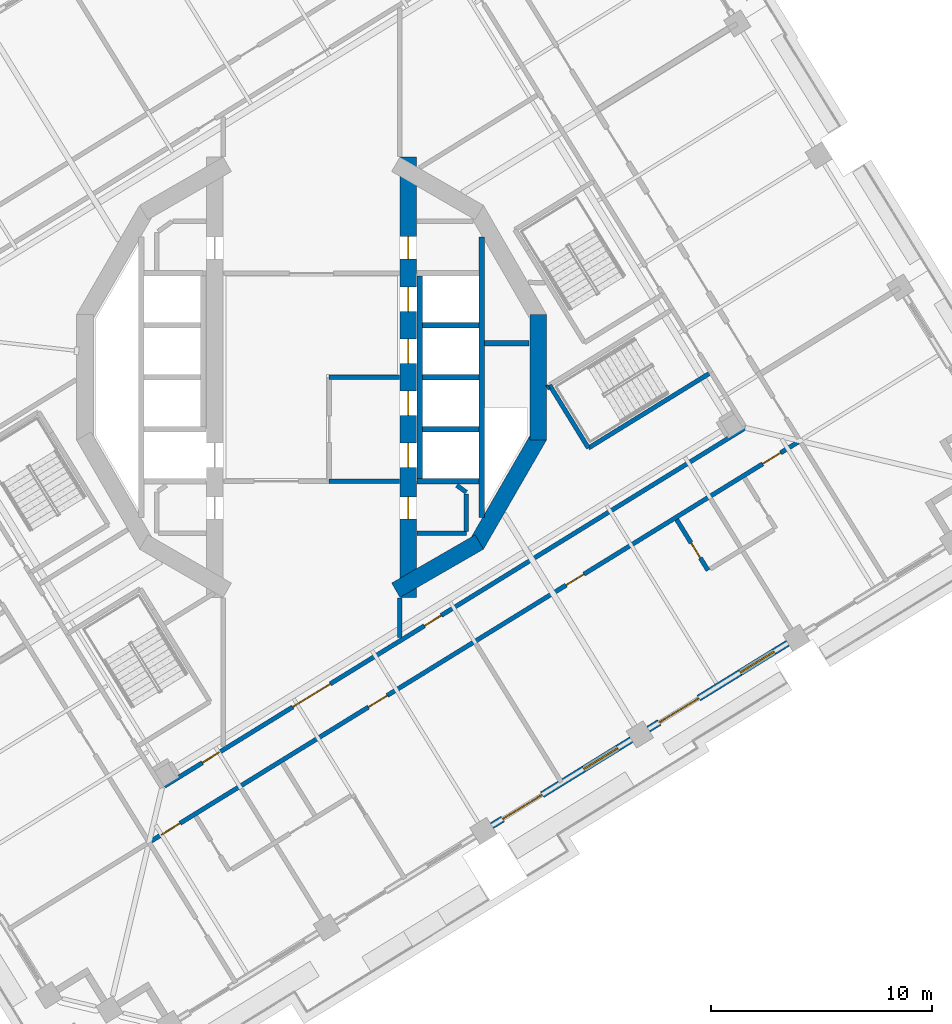
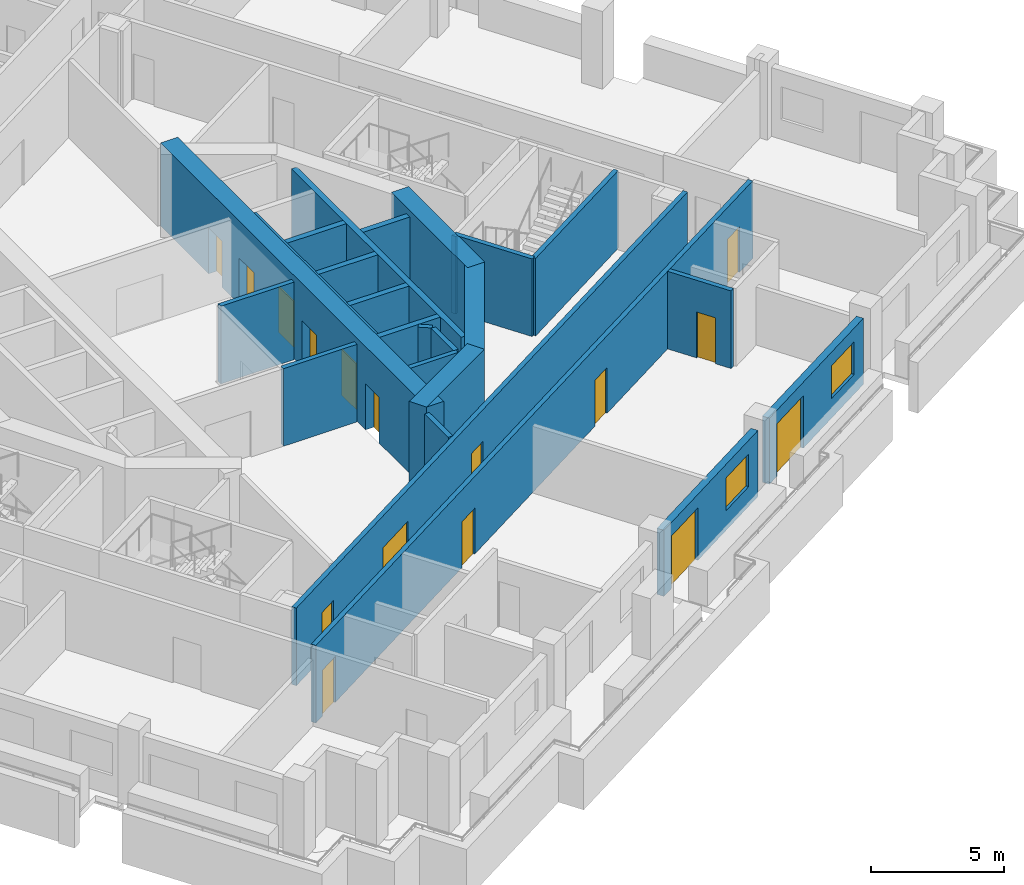
# One storey, part 6 of 20: 25 walls, 16 doors, 2 windows, 18 openings.
"""IFC4 building model written with IfcOpenShell, lengths in metres."""

from ifc_helpers import new_model, si_unit, direction, frame, frame_2d, origin, place, context, subcontext, project, spatial, rectangle, extrude, material, layer, layer_set, type_object, element, fill, save


model = new_model("IFC4")

# Units and contexts
model_context = context("Model", 3, precision=1e-05, world=origin(), true_north=direction((0.0, 1.0)))
body_context = subcontext(model_context, "Body", "Model", "MODEL_VIEW")
ifc_project = project(units=[si_unit("LENGTHUNIT", "METRE"), si_unit("AREAUNIT", "SQUARE_METRE"), si_unit("VOLUMEUNIT", "CUBIC_METRE"), si_unit("PLANEANGLEUNIT", "RADIAN"), si_unit("MASSUNIT", "GRAM", prefix="KILO")], contexts=[model_context])

# Site, building, storey
site_placement = place(None, origin())
site = spatial("IfcSite", under=ifc_project, at=site_placement, CompositionType="ELEMENT")
building_placement = place(site_placement, origin())
building = spatial("IfcBuilding", under=site, at=building_placement, Name="Cantera Rosa Tower", CompositionType="ELEMENT")
storey_placement = place(building_placement, frame((0.0, 0.0, 181.800048828125)))
storey = spatial("IfcBuildingStorey", under=building, at=storey_placement, Name="L40", CompositionType="ELEMENT", Elevation=181.800048828125)

# Wall, openings, doors
ifc_material_1 = material(Name="Gypsum board partition")
ifc_layer_1 = layer(ifc_material_1, 0.199951171875)
ifc_layer_set_1 = layer_set([ifc_layer_1], Name="CORRIDOR WALL 200 H3550")
wall_type_1 = type_object("IfcWallType", Name="CORRIDOR WALL 200 H3550", PredefinedType="PARTITIONING", material=ifc_layer_set_1)
wall_1_placement = place(storey_placement, frame((-7.246337890625, -20.977294921875, 0.0), z_axis=(0.0, 0.0, 1.0), x_axis=(0.851117666999, 0.524974967901, 0.0)))
wall_1 = element("IfcWall", 1, at=wall_1_placement, inside=storey, type_object=wall_type_1, Name="CORRIDOR WALL L40-033", PredefinedType="PARTITIONING", context=body_context, shape_type="SweptSolid", body=[
    extrude(rectangle(XDim=34.47998046875, YDim=0.199951171875, at=frame_2d((17.239990234375, 0.0))), origin(), (0.0, 0.0, 1.0), 3.550048828125),
])
opening_1_placement = place(wall_1_placement, frame((11.5400390625, 0.0, 0.0)))
opening_1 = element("IfcOpeningElement", 2, at=opening_1_placement, cuts=wall_1, Name="Opening L40-036", PredefinedType="OPENING", context=body_context, shape_type="SweptSolid", body=[
    extrude(rectangle(XDim=1.0, YDim=2.10009765625, at=frame_2d((0.5, 1.050048828125))), frame((0.0, 0.10986328125, 0.0), z_axis=(0.0, -1.0, 0.0), x_axis=(1.0, 0.0, 0.0)), (0.0, 0.0, 1.0), 0.219970703125),
])
opening_2_placement = place(wall_1_placement, frame((22.044921875, 0.0, 0.0)))
opening_2 = element("IfcOpeningElement", 3, at=opening_2_placement, cuts=wall_1, Name="Opening L40-039", PredefinedType="OPENING", context=body_context, shape_type="SweptSolid", body=[
    extrude(rectangle(XDim=0.949951171875, YDim=2.10009765625, at=frame_2d((0.47509765625, 1.050048828125))), frame((0.0, 0.10986328125, 0.0), z_axis=(0.0, -1.0, 0.0), x_axis=(1.0, 0.0, 0.0)), (0.0, 0.0, 1.0), 0.219970703125),
])
opening_3_placement = place(wall_1_placement, frame((32.4951171875, 0.0, 0.0)))
opening_3 = element("IfcOpeningElement", 4, at=opening_3_placement, cuts=wall_1, Name="Opening L40-041", PredefinedType="OPENING", context=body_context, shape_type="SweptSolid", body=[
    extrude(rectangle(XDim=0.949951171875, YDim=2.10009765625, at=frame_2d((0.47509765625, 1.050048828125))), frame((0.0, 0.10986328125, 0.0), z_axis=(0.0, -1.0, 0.0), x_axis=(1.0, 0.0, 0.0)), (0.0, 0.0, 1.0), 0.219970703125),
])
opening_4_placement = place(wall_1_placement, frame((0.530029296875, 0.0, 0.0)))
opening_4 = element("IfcOpeningElement", 5, at=opening_4_placement, cuts=wall_1, Name="Opening L40-043", PredefinedType="OPENING", context=body_context, shape_type="SweptSolid", body=[
    extrude(rectangle(XDim=1.0, YDim=2.10009765625, at=frame_2d((0.5, 1.050048828125))), frame((0.0, 0.10986328125, 0.0), z_axis=(0.0, -1.0, 0.0), x_axis=(1.0, 0.0, 0.0)), (0.0, 0.0, 1.0), 0.219970703125),
])
ifc_material_2 = material(Name="Timber door leaf", Category="wood")
door_type_1 = type_object("IfcDoorType", Name="ENTRANCE DOOR 1000x2100", OperationType="NOTDEFINED", PredefinedType="DOOR", material=ifc_material_2)
door_1_placement = place(opening_1_placement, origin())
door_1 = element("IfcDoor", 6, at=door_1_placement, inside=storey, type_object=door_type_1, Name="DOOR L40-036", OperationType="NOTDEFINED", OverallHeight=2.10009765625, OverallWidth=1.0, PredefinedType="DOOR", context=body_context, shape_type="SweptSolid", body=[
    extrude(rectangle(XDim=1.0, YDim=2.10009765625, at=frame_2d((0.5, 1.050048828125))), frame((0.0, 0.02490234375, 0.0), z_axis=(0.0, -1.0, 0.0), x_axis=(1.0, 0.0, 0.0)), (0.0, 0.0, 1.0), 0.050048828125),
])
fill(opening_1, door_1)
door_2_placement = place(opening_4_placement, origin())
door_2 = element("IfcDoor", 7, at=door_2_placement, inside=storey, type_object=door_type_1, Name="DOOR L40-043", OperationType="NOTDEFINED", OverallHeight=2.10009765625, OverallWidth=1.0, PredefinedType="DOOR", context=body_context, shape_type="SweptSolid", body=[
    extrude(rectangle(XDim=1.0, YDim=2.10009765625, at=frame_2d((0.5, 1.050048828125))), frame((0.0, 0.02490234375, 0.0), z_axis=(0.0, -1.0, 0.0), x_axis=(1.0, 0.0, 0.0)), (0.0, 0.0, 1.0), 0.050048828125),
])
fill(opening_4, door_2)
ifc_material_3 = material(Name="Timber door leaf", Category="wood")
door_type_2 = type_object("IfcDoorType", Name="ROOM DOOR 950x2100", OperationType="NOTDEFINED", PredefinedType="DOOR", material=ifc_material_3)
door_3_placement = place(opening_2_placement, origin())
door_3 = element("IfcDoor", 8, at=door_3_placement, inside=storey, type_object=door_type_2, Name="DOOR L40-039", OperationType="NOTDEFINED", OverallHeight=2.10009765625, OverallWidth=0.949951171875, PredefinedType="DOOR", context=body_context, shape_type="SweptSolid", body=[
    extrude(rectangle(XDim=0.949951171875, YDim=2.10009765625, at=frame_2d((0.47509765625, 1.050048828125))), frame((0.0, 0.02490234375, 0.0), z_axis=(0.0, -1.0, 0.0), x_axis=(1.0, 0.0, 0.0)), (0.0, 0.0, 1.0), 0.050048828125),
])
fill(opening_2, door_3)
door_4_placement = place(opening_3_placement, origin())
door_4 = element("IfcDoor", 9, at=door_4_placement, inside=storey, type_object=door_type_2, Name="DOOR L40-041", OperationType="NOTDEFINED", OverallHeight=2.10009765625, OverallWidth=0.949951171875, PredefinedType="DOOR", context=body_context, shape_type="SweptSolid", body=[
    extrude(rectangle(XDim=0.949951171875, YDim=2.10009765625, at=frame_2d((0.47509765625, 1.050048828125))), frame((0.0, 0.02490234375, 0.0), z_axis=(0.0, -1.0, 0.0), x_axis=(1.0, 0.0, 0.0)), (0.0, 0.0, 1.0), 0.050048828125),
])
fill(opening_3, door_4)

wall_2_placement = place(storey_placement, frame((-6.6591796875, -18.500244140625, 0.0), z_axis=(0.0, 0.0, 1.0), x_axis=(0.851117940987, 0.524974523696, 0.0)))
wall_2 = element("IfcWall", 10, at=wall_2_placement, inside=storey, type_object=wall_type_1, Name="CORRIDOR WALL L40-038", PredefinedType="PARTITIONING", context=body_context, shape_type="SweptSolid", body=[
    extrude(rectangle(XDim=30.8798828125, YDim=0.199951171875, at=frame_2d((15.43994140625, 0.0))), origin(), (0.0, 0.0, 1.0), 3.550048828125),
])
opening_5_placement = place(wall_2_placement, frame((2.01513671875, 0.0, 0.0)))
opening_5 = element("IfcOpeningElement", 11, at=opening_5_placement, cuts=wall_2, Name="Opening L40-009", PredefinedType="OPENING", context=body_context, shape_type="SweptSolid", body=[
    extrude(rectangle(XDim=0.89990234375, YDim=2.10009765625, at=frame_2d((0.449951171875, 1.050048828125))), frame((0.0, 0.10986328125, 0.0), z_axis=(0.0, -1.0, 0.0), x_axis=(1.0, 0.0, 0.0)), (0.0, 0.0, 1.0), 0.219970703125),
])
opening_6_placement = place(wall_2_placement, frame((13.8193359375, 0.0, 0.0)))
opening_6 = element("IfcOpeningElement", 12, at=opening_6_placement, cuts=wall_2, Name="Opening L40-010", PredefinedType="OPENING", context=body_context, shape_type="SweptSolid", body=[
    extrude(rectangle(XDim=0.89990234375, YDim=2.10009765625, at=frame_2d((0.449951171875, 1.050048828125))), frame((0.0, 0.10986328125, 0.0), z_axis=(0.0, -1.0, 0.0), x_axis=(1.0, 0.0, 0.0)), (0.0, 0.0, 1.0), 0.219970703125),
])
opening_7_placement = place(wall_2_placement, frame((6.82421875, 0.0, 0.0)))
opening_7 = element("IfcOpeningElement", 13, at=opening_7_placement, cuts=wall_2, Name="Opening L40-013", PredefinedType="OPENING", context=body_context, shape_type="SweptSolid", body=[
    extrude(rectangle(XDim=2.0, YDim=2.10009765625, at=frame_2d((1.0, 1.050048828125))), frame((0.0, 0.10986328125, 0.0), z_axis=(0.0, -1.0, 0.0), x_axis=(1.0, 0.0, 0.0)), (0.0, 0.0, 1.0), 0.219970703125),
])
ifc_material_4 = material(Name="Steel S355J2 (EN 10025-2)", Category="steel")
door_type_3 = type_object("IfcDoorType", Name="LOBBY SCREEN DOOR 2000x2100", OperationType="NOTDEFINED", PredefinedType="DOOR", material=ifc_material_4)
door_5_placement = place(opening_7_placement, origin())
door_5 = element("IfcDoor", 14, at=door_5_placement, inside=storey, type_object=door_type_3, Name="DOOR L40-013", OperationType="NOTDEFINED", OverallHeight=2.10009765625, OverallWidth=2.0, PredefinedType="DOOR", context=body_context, shape_type="SweptSolid", body=[
    extrude(rectangle(XDim=2.0, YDim=2.10009765625, at=frame_2d((1.0, 1.050048828125))), frame((0.0, 0.02490234375, 0.0), z_axis=(0.0, -1.0, 0.0), x_axis=(1.0, 0.0, 0.0)), (0.0, 0.0, 1.0), 0.050048828125),
])
fill(opening_7, door_5)
ifc_material_5 = material(Name="Timber door leaf", Category="wood")
door_type_4 = type_object("IfcDoorType", Name="SERVICE DOOR 900x2100", OperationType="NOTDEFINED", PredefinedType="DOOR", material=ifc_material_5)
door_6_placement = place(opening_5_placement, origin())
door_6 = element("IfcDoor", 15, at=door_6_placement, inside=storey, type_object=door_type_4, Name="DOOR L40-009", OperationType="NOTDEFINED", OverallHeight=2.10009765625, OverallWidth=0.89990234375, PredefinedType="DOOR", context=body_context, shape_type="SweptSolid", body=[
    extrude(rectangle(XDim=0.89990234375, YDim=2.10009765625, at=frame_2d((0.449951171875, 1.050048828125))), frame((0.0, 0.02490234375, 0.0), z_axis=(0.0, -1.0, 0.0), x_axis=(1.0, 0.0, 0.0)), (0.0, 0.0, 1.0), 0.050048828125),
])
fill(opening_5, door_6)
door_7_placement = place(opening_6_placement, origin())
door_7 = element("IfcDoor", 16, at=door_7_placement, inside=storey, type_object=door_type_4, Name="DOOR L40-010", OperationType="NOTDEFINED", OverallHeight=2.10009765625, OverallWidth=0.89990234375, PredefinedType="DOOR", context=body_context, shape_type="SweptSolid", body=[
    extrude(rectangle(XDim=0.89990234375, YDim=2.10009765625, at=frame_2d((0.449951171875, 1.050048828125))), frame((0.0, 0.02490234375, 0.0), z_axis=(0.0, -1.0, 0.0), x_axis=(1.0, 0.0, 0.0)), (0.0, 0.0, 1.0), 0.050048828125),
])
fill(opening_6, door_7)

# Wall
wall_3_placement = place(storey_placement, frame((4.0, -11.765625, 0.0), z_axis=(0.0, 0.0, 1.0), x_axis=(0.0, 1.0, 0.0)))
element("IfcWall", 17, at=wall_3_placement, inside=storey, type_object=wall_type_1, Name="CORRIDOR WALL L40-065", PredefinedType="PARTITIONING", context=body_context, shape_type="SweptSolid", body=[
    extrude(rectangle(XDim=1.771484375, YDim=0.199951171875, at=frame_2d((0.8857421875, 0.0))), origin(), (0.0, 0.0, 1.0), 3.550048828125),
])

# Wall, openings, window, door
ifc_material_6 = material(Name="Hollow clay masonry with cantera stone cladding", Category="masonry")
ifc_layer_2 = layer(ifc_material_6, 0.300048828125)
ifc_layer_set_2 = layer_set([ifc_layer_2], Name="EW-LOGGIA 300 H3020")
wall_type_2 = type_object("IfcWallType", Name="EW-LOGGIA 300 H3020", PredefinedType="SOLIDWALL", material=ifc_layer_set_2)
wall_4_placement = place(storey_placement, frame((8.155517578125, -20.289306640625, 0.0), z_axis=(0.0, 0.0, 1.0), x_axis=(0.851111085575, 0.524985637909, 0.0)))
wall_4 = element("IfcWall", 18, at=wall_4_placement, inside=storey, type_object=wall_type_2, Name="EN-L40-W24", PredefinedType="SOLIDWALL", context=body_context, shape_type="SweptSolid", body=[
    extrude(rectangle(XDim=7.420166015625, YDim=0.300048828125, at=frame_2d((3.7099609375, 0.0))), origin(), (0.0, 0.0, 1.0), 3.02001953125),
])
opening_8_placement = place(wall_4_placement, frame((0.580078125, 0.0, 0.0)))
opening_8 = element("IfcOpeningElement", 19, at=opening_8_placement, cuts=wall_4, Name="Opening L40-TD31", PredefinedType="OPENING", context=body_context, shape_type="SweptSolid", body=[
    extrude(rectangle(XDim=2.10009765625, YDim=2.39990234375, at=frame_2d((1.050048828125, 1.199951171875))), frame((0.0, 0.159912109375, 0.0), z_axis=(0.0, -1.0, 0.0), x_axis=(1.0, 0.0, 0.0)), (0.0, 0.0, 1.0), 0.320068359375),
])
opening_9_placement = place(wall_4_placement, frame((4.889892578125, 0.0, 0.89990234375)))
opening_9 = element("IfcOpeningElement", 20, at=opening_9_placement, cuts=wall_4, Name="Opening L40-W32", PredefinedType="OPENING", context=body_context, shape_type="SweptSolid", body=[
    extrude(rectangle(XDim=1.800048828125, YDim=1.5, at=frame_2d((0.89990234375, 0.75))), frame((0.0, 0.159912109375, 0.0), z_axis=(0.0, -1.0, 0.0), x_axis=(1.0, 0.0, 0.0)), (0.0, 0.0, 1.0), 0.320068359375),
])
ifc_material_7 = material(Name="Aluminium frame with clear glass", Category="aluminium")
window_type = type_object("IfcWindowType", Name="Hotel room window 1800x1500", PartitioningType="DOUBLE_PANEL_VERTICAL", PredefinedType="WINDOW", material=ifc_material_7)
window_1_placement = place(opening_9_placement, origin())
window_1 = element("IfcWindow", 21, at=window_1_placement, inside=storey, type_object=window_type, Name="WINDOW L40-W32", OverallHeight=1.5, OverallWidth=1.800048828125, PartitioningType="SINGLE_PANEL", PredefinedType="WINDOW", context=body_context, shape_type="SweptSolid", body=[
    extrude(rectangle(XDim=1.800048828125, YDim=1.5, at=frame_2d((0.89990234375, 0.75))), frame((0.0, 0.030029296875, 0.0), z_axis=(0.0, -1.0, 0.0), x_axis=(1.0, 0.0, 0.0)), (0.0, 0.0, 1.0), 0.06005859375),
])
fill(opening_9, window_1)
ifc_material_8 = material(Name="Aluminium frame with clear glass", Category="aluminium")
door_type_5 = type_object("IfcDoorType", Name="TD-H 2100x2400", OperationType="NOTDEFINED", PredefinedType="DOOR", material=ifc_material_8)
door_8_placement = place(opening_8_placement, origin())
door_8 = element("IfcDoor", 22, at=door_8_placement, inside=storey, type_object=door_type_5, Name="LOGGIA DOOR L40-TD31", OperationType="SLIDING_TO_LEFT", OverallHeight=2.39990234375, OverallWidth=2.10009765625, PredefinedType="DOOR", context=body_context, shape_type="SweptSolid", body=[
    extrude(rectangle(XDim=2.10009765625, YDim=2.39990234375, at=frame_2d((1.050048828125, 1.199951171875))), frame((0.0, 0.02490234375, 0.0), z_axis=(0.0, -1.0, 0.0), x_axis=(1.0, 0.0, 0.0)), (0.0, 0.0, 1.0), 0.050048828125),
])
fill(opening_8, door_8)

wall_5_placement = place(storey_placement, frame((15.23681640625, -15.92138671875, 0.0), z_axis=(0.0, 0.0, 1.0), x_axis=(0.85112578684, 0.524961803349, 0.0)))
wall_5 = element("IfcWall", 23, at=wall_5_placement, inside=storey, type_object=wall_type_2, Name="EN-L40-W25", PredefinedType="SOLIDWALL", context=body_context, shape_type="SweptSolid", body=[
    extrude(rectangle(XDim=7.420166015625, YDim=0.300048828125, at=frame_2d((3.7099609375, 0.0))), origin(), (0.0, 0.0, 1.0), 3.02001953125),
])
opening_10_placement = place(wall_5_placement, frame((0.580078125, 0.0, 0.0)))
opening_10 = element("IfcOpeningElement", 24, at=opening_10_placement, cuts=wall_5, Name="Opening L40-TD33", PredefinedType="OPENING", context=body_context, shape_type="SweptSolid", body=[
    extrude(rectangle(XDim=2.10009765625, YDim=2.39990234375, at=frame_2d((1.050048828125, 1.199951171875))), frame((0.0, 0.159912109375, 0.0), z_axis=(0.0, -1.0, 0.0), x_axis=(1.0, 0.0, 0.0)), (0.0, 0.0, 1.0), 0.320068359375),
])
opening_11_placement = place(wall_5_placement, frame((4.889892578125, 0.0, 0.89990234375)))
opening_11 = element("IfcOpeningElement", 25, at=opening_11_placement, cuts=wall_5, Name="Opening L40-W34", PredefinedType="OPENING", context=body_context, shape_type="SweptSolid", body=[
    extrude(rectangle(XDim=1.800048828125, YDim=1.5, at=frame_2d((0.89990234375, 0.75))), frame((0.0, 0.159912109375, 0.0), z_axis=(0.0, -1.0, 0.0), x_axis=(1.0, 0.0, 0.0)), (0.0, 0.0, 1.0), 0.320068359375),
])
window_2_placement = place(opening_11_placement, origin())
window_2 = element("IfcWindow", 26, at=window_2_placement, inside=storey, type_object=window_type, Name="WINDOW L40-W34", OverallHeight=1.5, OverallWidth=1.800048828125, PartitioningType="SINGLE_PANEL", PredefinedType="WINDOW", context=body_context, shape_type="SweptSolid", body=[
    extrude(rectangle(XDim=1.800048828125, YDim=1.5, at=frame_2d((0.89990234375, 0.75))), frame((0.0, 0.030029296875, 0.0), z_axis=(0.0, -1.0, 0.0), x_axis=(1.0, 0.0, 0.0)), (0.0, 0.0, 1.0), 0.06005859375),
])
fill(opening_11, window_2)
door_9_placement = place(opening_10_placement, origin())
door_9 = element("IfcDoor", 27, at=door_9_placement, inside=storey, type_object=door_type_5, Name="LOGGIA DOOR L40-TD33", OperationType="SLIDING_TO_LEFT", OverallHeight=2.39990234375, OverallWidth=2.10009765625, PredefinedType="DOOR", context=body_context, shape_type="SweptSolid", body=[
    extrude(rectangle(XDim=2.10009765625, YDim=2.39990234375, at=frame_2d((1.050048828125, 1.199951171875))), frame((0.0, 0.02490234375, 0.0), z_axis=(0.0, -1.0, 0.0), x_axis=(1.0, 0.0, 0.0)), (0.0, 0.0, 1.0), 0.050048828125),
])
fill(opening_10, door_9)

# Walls
ifc_material_9 = material(Name="Gypsum board partition")
ifc_layer_3 = layer(ifc_material_9, 0.199951171875)
ifc_layer_set_3 = layer_set([ifc_layer_3], Name="PARTITION 200 H3550")
wall_type_3 = type_object("IfcWallType", Name="PARTITION 200 H3550", PredefinedType="PARTITIONING", material=ifc_layer_set_3)
wall_6_placement = place(storey_placement, frame((6.572509765625, -4.888427734375, 0.0), z_axis=(0.0, 0.0, 1.0), x_axis=(0.808176867567, -0.588939853236, 0.0)))
element("IfcWall", 28, at=wall_6_placement, inside=storey, type_object=wall_type_3, Name="PARTITION L40-073", PredefinedType="PARTITIONING", context=body_context, shape_type="SweptSolid", body=[
    extrude(rectangle(XDim=0.529052734375, YDim=0.199951171875, at=frame_2d((0.2646484375, 0.0))), origin(), (0.0, 0.0, 1.0), 3.550048828125),
])
wall_7_placement = place(storey_placement, frame((7.0, -7.050048828125, 0.0), z_axis=(0.0, 0.0, 1.0), x_axis=(-1.0, 0.0, 0.0)))
element("IfcWall", 29, at=wall_7_placement, inside=storey, type_object=wall_type_3, Name="PARTITION L40-076", PredefinedType="PARTITIONING", context=body_context, shape_type="SweptSolid", body=[
    extrude(rectangle(XDim=2.219970703125, YDim=0.199951171875, at=frame_2d((1.10986328125, 0.0))), origin(), (0.0, 0.0, 1.0), 3.550048828125),
])
wall_8_placement = place(storey_placement, frame((7.0, -5.280029296875, 0.0), z_axis=(0.0, 0.0, 1.0), x_axis=(0.0, -1.0, 0.0)))
element("IfcWall", 30, at=wall_8_placement, inside=storey, type_object=wall_type_3, Name="PARTITION L40-077", PredefinedType="PARTITIONING", context=body_context, shape_type="SweptSolid", body=[
    extrude(rectangle(XDim=1.68994140625, YDim=0.199951171875, at=frame_2d((0.844970703125, 0.0))), origin(), (0.0, 0.0, 1.0), 3.550048828125),
])
wall_9_placement = place(storey_placement, frame((10.6552734375, -0.477294921875, 0.0), z_axis=(0.0, 0.0, 1.0), x_axis=(0.850733698721, 0.525596969037, 0.0)))
element("IfcWall", 31, at=wall_9_placement, inside=storey, type_object=wall_type_3, Name="PARTITION L40-093", PredefinedType="PARTITIONING", context=body_context, shape_type="SweptSolid", body=[
    extrude(rectangle(XDim=0.099853515625, YDim=0.199951171875, at=frame_2d((0.0498046875, 0.0))), origin(), (0.0, 0.0, 1.0), 3.550048828125),
])

# Wall, opening, door
wall_10_placement = place(storey_placement, frame((17.935791015625, -8.734619140625, 0.0), z_axis=(0.0, 0.0, 1.0), x_axis=(-0.524974952644, 0.85111767641, 0.0)))
wall_10 = element("IfcWall", 32, at=wall_10_placement, inside=storey, type_object=wall_type_3, Name="PARTITION L40-102", PredefinedType="PARTITIONING", context=body_context, shape_type="SweptSolid", body=[
    extrude(rectangle(XDim=2.7001953125, YDim=0.199951171875, at=frame_2d((1.35009765625, 0.0))), origin(), (0.0, 0.0, 1.0), 3.550048828125),
])
opening_12_placement = place(wall_10_placement, frame((0.6640625, 0.0, 0.0)))
opening_12 = element("IfcOpeningElement", 33, at=opening_12_placement, cuts=wall_10, Name="Opening L40-040", PredefinedType="OPENING", context=body_context, shape_type="SweptSolid", body=[
    extrude(rectangle(XDim=0.800048828125, YDim=2.10009765625, at=frame_2d((0.39990234375, 1.050048828125))), frame((0.0, 0.10986328125, 0.0), z_axis=(0.0, -1.0, 0.0), x_axis=(1.0, 0.0, 0.0)), (0.0, 0.0, 1.0), 0.219970703125),
])
ifc_material_10 = material(Name="Timber door leaf", Category="wood")
door_type_6 = type_object("IfcDoorType", Name="BATHROOM DOOR 800x2100", OperationType="NOTDEFINED", PredefinedType="DOOR", material=ifc_material_10)
door_10_placement = place(opening_12_placement, origin())
door_10 = element("IfcDoor", 34, at=door_10_placement, inside=storey, type_object=door_type_6, Name="DOOR L40-040", OperationType="NOTDEFINED", OverallHeight=2.10009765625, OverallWidth=0.800048828125, PredefinedType="DOOR", context=body_context, shape_type="SweptSolid", body=[
    extrude(rectangle(XDim=0.800048828125, YDim=2.10009765625, at=frame_2d((0.39990234375, 1.050048828125))), frame((0.0, 0.02490234375, 0.0), z_axis=(0.0, -1.0, 0.0), x_axis=(1.0, 0.0, 0.0)), (0.0, 0.0, 1.0), 0.050048828125),
])
fill(opening_12, door_10)

# Walls
ifc_material_11 = material(Name="Concrete C60/75", Category="concrete")
ifc_layer_4 = layer(ifc_material_11, 0.75)
ifc_layer_set_4 = layer_set([ifc_layer_4], Name="RC CORE WALL 750 C60/75")
wall_type_4 = type_object("IfcWallType", Name="RC CORE WALL 750 C60/75", PredefinedType="SHEAR", material=ifc_layer_set_4)
wall_11_placement = place(storey_placement, frame((10.250244140625, 2.846923828125, 0.0), z_axis=(0.0, 0.0, 1.0), x_axis=(0.0, -1.0, 0.0)))
element("IfcWall", 35, at=wall_11_placement, inside=storey, type_object=wall_type_4, Name="CW-E3 L40", PredefinedType="SHEAR", context=body_context, shape_type="SweptSolid", body=[
    extrude(rectangle(XDim=5.69384765625, YDim=0.75, at=frame_2d((2.846923828125, 0.0))), origin(), (0.0, 0.0, 1.0), 3.800048828125),
])
wall_12_placement = place(storey_placement, frame((10.300537109375, -2.659423828125, 0.0), z_axis=(0.0, 0.0, 1.0), x_axis=(-0.500021842983, -0.866012792365, 0.0)))
element("IfcWall", 36, at=wall_12_placement, inside=storey, type_object=wall_type_4, Name="CW-E4 L40", PredefinedType="SHEAR", context=body_context, shape_type="SweptSolid", body=[
    extrude(rectangle(XDim=5.694091796875, YDim=0.75, at=frame_2d((2.84716796875, 0.0))), origin(), (0.0, 0.0, 1.0), 3.800048828125),
])
wall_13_placement = place(storey_placement, frame((7.590576171875, -7.453369140625, 0.0), z_axis=(0.0, 0.0, 1.0), x_axis=(-0.866013176292, -0.50002117804, 0.0)))
element("IfcWall", 37, at=wall_13_placement, inside=storey, type_object=wall_type_4, Name="CW-E5 L40", PredefinedType="SHEAR", context=body_context, shape_type="SweptSolid", body=[
    extrude(rectangle(XDim=4.362548828125, YDim=0.75, at=frame_2d((2.18115234375, 0.0))), origin(), (0.0, 0.0, 1.0), 3.800048828125),
])

# Wall, openings, doors
wall_14_placement = place(storey_placement, frame((4.375, -9.95947265625, 0.0), z_axis=(0.0, 0.0, 1.0), x_axis=(0.0, 1.0, 0.0)))
wall_14 = element("IfcWall", 38, at=wall_14_placement, inside=storey, type_object=wall_type_4, Name="CW-E6 L40", PredefinedType="SHEAR", context=body_context, shape_type="SweptSolid", body=[
    extrude(rectangle(XDim=19.9189453125, YDim=0.75, at=frame_2d((9.95947265625, 0.0))), origin(), (0.0, 0.0, 1.0), 3.800048828125),
])
opening_13_placement = place(wall_14_placement, frame((5.884521484375, 0.0, 0.0)))
opening_13 = element("IfcOpeningElement", 39, at=opening_13_placement, cuts=wall_14, Name="Opening LD-FF1-L40", PredefinedType="OPENING", context=body_context, shape_type="SweptSolid", body=[
    extrude(rectangle(XDim=1.10009765625, YDim=2.10009765625, at=frame_2d((0.550048828125, 1.050048828125))), frame((0.0, 0.385009765625, 0.0), z_axis=(0.0, -1.0, 0.0), x_axis=(1.0, 0.0, 0.0)), (0.0, 0.0, 1.0), 0.77001953125),
])
opening_14_placement = place(wall_14_placement, frame((8.234619140625, 0.0, 0.0)))
opening_14 = element("IfcOpeningElement", 40, at=opening_14_placement, cuts=wall_14, Name="Opening LD-FF2-L40", PredefinedType="OPENING", context=body_context, shape_type="SweptSolid", body=[
    extrude(rectangle(XDim=1.10009765625, YDim=2.10009765625, at=frame_2d((0.550048828125, 1.050048828125))), frame((0.0, 0.385009765625, 0.0), z_axis=(0.0, -1.0, 0.0), x_axis=(1.0, 0.0, 0.0)), (0.0, 0.0, 1.0), 0.77001953125),
])
opening_15_placement = place(wall_14_placement, frame((10.58447265625, 0.0, 0.0)))
opening_15 = element("IfcOpeningElement", 41, at=opening_15_placement, cuts=wall_14, Name="Opening LD-P1-L40", PredefinedType="OPENING", context=body_context, shape_type="SweptSolid", body=[
    extrude(rectangle(XDim=1.10009765625, YDim=2.10009765625, at=frame_2d((0.550048828125, 1.050048828125))), frame((0.0, 0.385009765625, 0.0), z_axis=(0.0, -1.0, 0.0), x_axis=(1.0, 0.0, 0.0)), (0.0, 0.0, 1.0), 0.77001953125),
])
opening_16_placement = place(wall_14_placement, frame((12.9345703125, 0.0, 0.0)))
opening_16 = element("IfcOpeningElement", 42, at=opening_16_placement, cuts=wall_14, Name="Opening LD-P2-L40", PredefinedType="OPENING", context=body_context, shape_type="SweptSolid", body=[
    extrude(rectangle(XDim=1.10009765625, YDim=2.10009765625, at=frame_2d((0.550048828125, 1.050048828125))), frame((0.0, 0.385009765625, 0.0), z_axis=(0.0, -1.0, 0.0), x_axis=(1.0, 0.0, 0.0)), (0.0, 0.0, 1.0), 0.77001953125),
])
opening_17_placement = place(wall_14_placement, frame((3.55078125, 0.0, 0.0)))
opening_17 = element("IfcOpeningElement", 43, at=opening_17_placement, cuts=wall_14, Name="Opening SD-L40-18", PredefinedType="OPENING", context=body_context, shape_type="SweptSolid", body=[
    extrude(rectangle(XDim=1.0, YDim=2.10009765625, at=frame_2d((0.5, 1.050048828125))), frame((0.0, 0.385009765625, 0.0), z_axis=(0.0, -1.0, 0.0), x_axis=(1.0, 0.0, 0.0)), (0.0, 0.0, 1.0), 0.77001953125),
])
opening_18_placement = place(wall_14_placement, frame((15.318115234375, 0.0, 0.0)))
opening_18 = element("IfcOpeningElement", 44, at=opening_18_placement, cuts=wall_14, Name="Opening SD-L40-19", PredefinedType="OPENING", context=body_context, shape_type="SweptSolid", body=[
    extrude(rectangle(XDim=1.0, YDim=2.10009765625, at=frame_2d((0.5, 1.050048828125))), frame((0.0, 0.385009765625, 0.0), z_axis=(0.0, -1.0, 0.0), x_axis=(1.0, 0.0, 0.0)), (0.0, 0.0, 1.0), 0.77001953125),
])
ifc_material_12 = material(Name="Steel S355J2 (EN 10025-2)", Category="steel")
door_type_7 = type_object("IfcDoorType", Name="LANDING DOOR 1100x2100", OperationType="NOTDEFINED", PredefinedType="DOOR", material=ifc_material_12)
door_11_placement = place(opening_13_placement, origin())
door_11 = element("IfcDoor", 45, at=door_11_placement, inside=storey, type_object=door_type_7, Name="LANDING DOOR FF1 L40", OperationType="SLIDING_TO_LEFT", OverallHeight=2.10009765625, OverallWidth=1.10009765625, PredefinedType="DOOR", context=body_context, shape_type="SweptSolid", body=[
    extrude(rectangle(XDim=1.10009765625, YDim=2.10009765625, at=frame_2d((0.550048828125, 1.050048828125))), frame((0.0, 0.02490234375, 0.0), z_axis=(0.0, -1.0, 0.0), x_axis=(1.0, 0.0, 0.0)), (0.0, 0.0, 1.0), 0.050048828125),
])
fill(opening_13, door_11)
door_12_placement = place(opening_14_placement, origin())
door_12 = element("IfcDoor", 46, at=door_12_placement, inside=storey, type_object=door_type_7, Name="LANDING DOOR FF2 L40", OperationType="SLIDING_TO_LEFT", OverallHeight=2.10009765625, OverallWidth=1.10009765625, PredefinedType="DOOR", context=body_context, shape_type="SweptSolid", body=[
    extrude(rectangle(XDim=1.10009765625, YDim=2.10009765625, at=frame_2d((0.550048828125, 1.050048828125))), frame((0.0, 0.02490234375, 0.0), z_axis=(0.0, -1.0, 0.0), x_axis=(1.0, 0.0, 0.0)), (0.0, 0.0, 1.0), 0.050048828125),
])
fill(opening_14, door_12)
door_13_placement = place(opening_15_placement, origin())
door_13 = element("IfcDoor", 47, at=door_13_placement, inside=storey, type_object=door_type_7, Name="LANDING DOOR P1 L40", OperationType="SLIDING_TO_LEFT", OverallHeight=2.10009765625, OverallWidth=1.10009765625, PredefinedType="DOOR", context=body_context, shape_type="SweptSolid", body=[
    extrude(rectangle(XDim=1.10009765625, YDim=2.10009765625, at=frame_2d((0.550048828125, 1.050048828125))), frame((0.0, 0.02490234375, 0.0), z_axis=(0.0, -1.0, 0.0), x_axis=(1.0, 0.0, 0.0)), (0.0, 0.0, 1.0), 0.050048828125),
])
fill(opening_15, door_13)
door_14_placement = place(opening_16_placement, origin())
door_14 = element("IfcDoor", 48, at=door_14_placement, inside=storey, type_object=door_type_7, Name="LANDING DOOR P2 L40", OperationType="SLIDING_TO_LEFT", OverallHeight=2.10009765625, OverallWidth=1.10009765625, PredefinedType="DOOR", context=body_context, shape_type="SweptSolid", body=[
    extrude(rectangle(XDim=1.10009765625, YDim=2.10009765625, at=frame_2d((0.550048828125, 1.050048828125))), frame((0.0, 0.02490234375, 0.0), z_axis=(0.0, -1.0, 0.0), x_axis=(1.0, 0.0, 0.0)), (0.0, 0.0, 1.0), 0.050048828125),
])
fill(opening_16, door_14)
ifc_material_13 = material(Name="Timber door leaf", Category="wood")
door_type_8 = type_object("IfcDoorType", Name="SERVICE DOOR 1000x2100", OperationType="NOTDEFINED", PredefinedType="DOOR", material=ifc_material_13)
door_15_placement = place(opening_17_placement, origin())
door_15 = element("IfcDoor", 49, at=door_15_placement, inside=storey, type_object=door_type_8, Name="DOOR L40-SD18", OperationType="NOTDEFINED", OverallHeight=2.10009765625, OverallWidth=1.0, PredefinedType="DOOR", context=body_context, shape_type="SweptSolid", body=[
    extrude(rectangle(XDim=1.0, YDim=2.10009765625, at=frame_2d((0.5, 1.050048828125))), frame((0.0, 0.02490234375, 0.0), z_axis=(0.0, -1.0, 0.0), x_axis=(1.0, 0.0, 0.0)), (0.0, 0.0, 1.0), 0.050048828125),
])
fill(opening_17, door_15)
door_16_placement = place(opening_18_placement, origin())
door_16 = element("IfcDoor", 50, at=door_16_placement, inside=storey, type_object=door_type_8, Name="DOOR L40-SD19", OperationType="NOTDEFINED", OverallHeight=2.10009765625, OverallWidth=1.0, PredefinedType="DOOR", context=body_context, shape_type="SweptSolid", body=[
    extrude(rectangle(XDim=1.0, YDim=2.10009765625, at=frame_2d((0.5, 1.050048828125))), frame((0.0, 0.02490234375, 0.0), z_axis=(0.0, -1.0, 0.0), x_axis=(1.0, 0.0, 0.0)), (0.0, 0.0, 1.0), 0.050048828125),
])
fill(opening_18, door_16)

# Walls
ifc_material_14 = material(Name="Masonry blockwork", Category="masonry")
ifc_layer_5 = layer(ifc_material_14, 0.25)
ifc_layer_set_5 = layer_set([ifc_layer_5], Name="SHAFT WALL 250 H3550")
wall_type_5 = type_object("IfcWallType", Name="SHAFT WALL 250 H3550", PredefinedType="SOLIDWALL", material=ifc_layer_set_5)
wall_15_placement = place(storey_placement, frame((5.014892578125, 0.0, 0.0), z_axis=(0.0, 0.0, 1.0), x_axis=(1.0, 0.0, 0.0)))
element("IfcWall", 51, at=wall_15_placement, inside=storey, type_object=wall_type_5, Name="SHAFT WALL L40-067", PredefinedType="SOLIDWALL", context=body_context, shape_type="SweptSolid", body=[
    extrude(rectangle(XDim=2.56005859375, YDim=0.25, at=frame_2d((1.280029296875, 0.0))), origin(), (0.0, 0.0, 1.0), 3.550048828125),
])
wall_16_placement = place(storey_placement, frame((4.89990234375, 4.574951171875, 0.0), z_axis=(0.0, 0.0, 1.0), x_axis=(0.0, -1.0, 0.0)))
element("IfcWall", 52, at=wall_16_placement, inside=storey, type_object=wall_type_5, Name="SHAFT WALL L40-071", PredefinedType="SOLIDWALL", context=body_context, shape_type="SweptSolid", body=[
    extrude(rectangle(XDim=9.14990234375, YDim=0.25, at=frame_2d((4.574951171875, 0.0))), origin(), (0.0, 0.0, 1.0), 3.550048828125),
])
wall_17_placement = place(storey_placement, frame((7.699951171875, -6.353515625, 0.0), z_axis=(0.0, 0.0, 1.0), x_axis=(0.0, 1.0, 0.0)))
element("IfcWall", 53, at=wall_17_placement, inside=storey, type_object=wall_type_5, Name="SHAFT WALL L40-083", PredefinedType="SOLIDWALL", context=body_context, shape_type="SweptSolid", body=[
    extrude(rectangle(XDim=12.70703125, YDim=0.25, at=frame_2d((6.353515625, 0.0))), origin(), (0.0, 0.0, 1.0), 3.550048828125),
])
wall_18_placement = place(storey_placement, frame((7.574951171875, -4.699951171875, 0.0), z_axis=(0.0, 0.0, 1.0), x_axis=(-1.0, 0.0, 0.0)))
element("IfcWall", 54, at=wall_18_placement, inside=storey, type_object=wall_type_5, Name="SHAFT WALL L40-084", PredefinedType="SOLIDWALL", context=body_context, shape_type="SweptSolid", body=[
    extrude(rectangle(XDim=2.794921875, YDim=0.25, at=frame_2d((1.3974609375, 0.0))), origin(), (0.0, 0.0, 1.0), 3.550048828125),
])
wall_19_placement = place(storey_placement, frame((7.574951171875, -2.35009765625, 0.0), z_axis=(0.0, 0.0, 1.0), x_axis=(-1.0, 0.0, 0.0)))
element("IfcWall", 55, at=wall_19_placement, inside=storey, type_object=wall_type_5, Name="SHAFT WALL L40-085", PredefinedType="SOLIDWALL", context=body_context, shape_type="SweptSolid", body=[
    extrude(rectangle(XDim=2.56005859375, YDim=0.25, at=frame_2d((1.280029296875, 0.0))), origin(), (0.0, 0.0, 1.0), 3.550048828125),
])
wall_20_placement = place(storey_placement, frame((7.824951171875, 1.539306640625, 0.0), z_axis=(0.0, 0.0, 1.0), x_axis=(1.0, 0.0, 0.0)))
element("IfcWall", 56, at=wall_20_placement, inside=storey, type_object=wall_type_5, Name="SHAFT WALL L40-086", PredefinedType="SOLIDWALL", context=body_context, shape_type="SweptSolid", body=[
    extrude(rectangle(XDim=2.020263671875, YDim=0.25, at=frame_2d((1.01025390625, 0.0))), origin(), (0.0, 0.0, 1.0), 3.550048828125),
])
wall_21_placement = place(storey_placement, frame((7.574951171875, 2.35009765625, 0.0), z_axis=(0.0, 0.0, 1.0), x_axis=(-1.0, 0.0, 0.0)))
element("IfcWall", 57, at=wall_21_placement, inside=storey, type_object=wall_type_5, Name="SHAFT WALL L40-087", PredefinedType="SOLIDWALL", context=body_context, shape_type="SweptSolid", body=[
    extrude(rectangle(XDim=2.56005859375, YDim=0.25, at=frame_2d((1.280029296875, 0.0))), origin(), (0.0, 0.0, 1.0), 3.550048828125),
])
ifc_material_15 = material(Name="Concrete C50/60", Category="concrete")
ifc_layer_6 = layer(ifc_material_15, 0.199951171875)
ifc_layer_set_6 = layer_set([ifc_layer_6], Name="STAIR WALL 200 H3550")
wall_type_6 = type_object("IfcWallType", Name="STAIR WALL 200 H3550", PredefinedType="SOLIDWALL", material=ifc_layer_set_6)
for number, where, z_axis, x_axis, name in (
    (58, (0.800048828125, 0.0, 0.0), (0.0, 0.0, 1.0), (1.0, 0.0, 0.0), "STAIR WALL L40-059"),
    (59, (3.969970703125, -4.699951171875, 0.0), (0.0, 0.0, 1.0), (-1.0, 0.0, 0.0), "STAIR WALL L40-064"),
):
    element("IfcWall", number, at=place(storey_placement, frame(where, z_axis=z_axis, x_axis=x_axis)), inside=storey, type_object=wall_type_6, Name=name, PredefinedType="SOLIDWALL", context=body_context, shape_type="SweptSolid", body=[
        extrude(rectangle(XDim=3.169921875, YDim=0.199951171875, at=frame_2d((1.5849609375, 0.0))), origin(), (0.0, 0.0, 1.0), 3.550048828125),
    ])
wall_22_placement = place(storey_placement, frame((12.52587890625, -3.20068359375, 0.0), z_axis=(0.0, 0.0, 1.0), x_axis=(-0.524938861495, 0.85113993661, 0.0)))
element("IfcWall", 60, at=wall_22_placement, inside=storey, type_object=wall_type_6, Name="STAIR WALL L40-095", PredefinedType="SOLIDWALL", context=body_context, shape_type="SweptSolid", body=[
    extrude(rectangle(XDim=3.35009765625, YDim=0.199951171875, at=frame_2d((1.675048828125, 0.0))), origin(), (0.0, 0.0, 1.0), 3.550048828125),
])
wall_23_placement = place(storey_placement, frame((12.52587890625, -3.20068359375, 0.0), z_axis=(0.0, 0.0, 1.0), x_axis=(0.851120392665, 0.524970548879, 0.0)))
element("IfcWall", 61, at=wall_23_placement, inside=storey, type_object=wall_type_6, Name="STAIR WALL L40-096", PredefinedType="SOLIDWALL", context=body_context, shape_type="SweptSolid", body=[
    extrude(rectangle(XDim=6.51904296875, YDim=0.199951171875, at=frame_2d((3.259521484375, 0.0))), origin(), (0.0, 0.0, 1.0), 3.550048828125),
])

save(model, "model.ifc")
